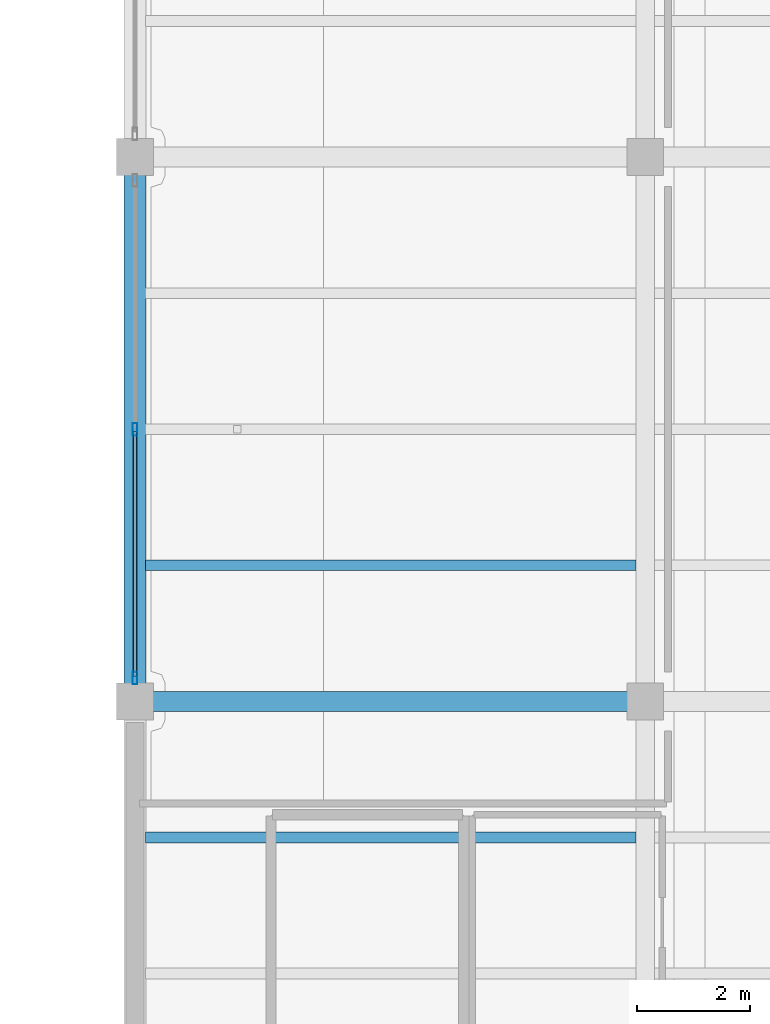
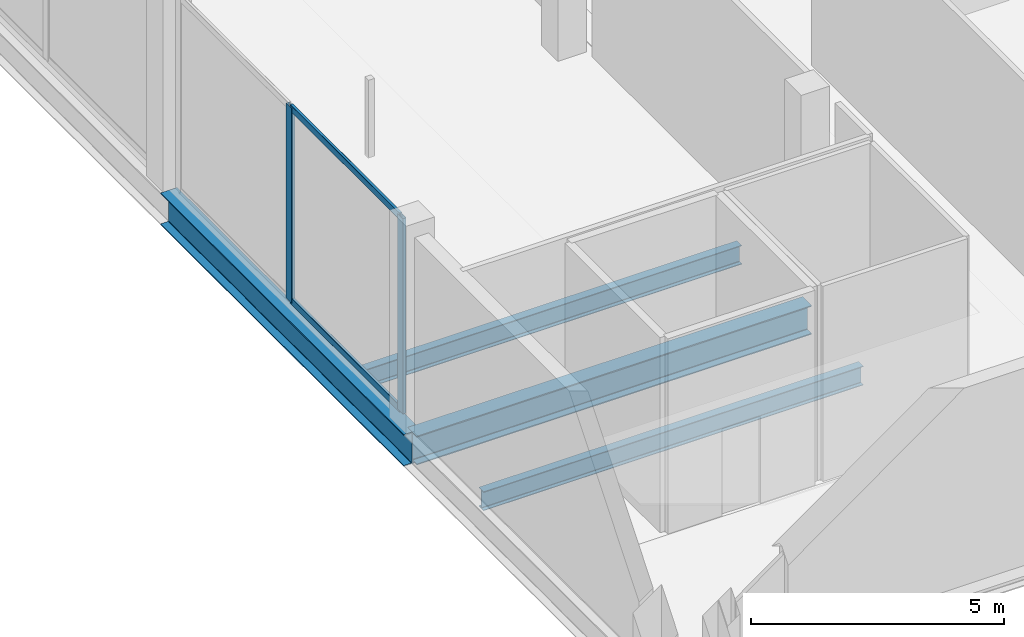
# One storey, part 3 of 43: 4 beams, 4 members, 1 element without a shape of its own.
"""IFC4 building model written with IfcOpenShell, lengths in metres."""

from ifc_helpers import new_model, si_unit, direction, frame, origin, origin_2d, place, context, subcontext, project, spatial, hollow_rectangle, i_section, extrude, material, layer, layer_set, material_profile, profile_set, type_object, element, aggregate, save


model = new_model("IFC4")

# Units and contexts
model_context = context("Model", 3, precision=1e-05, world=origin(), true_north=direction((0.0, 1.0)))
body_context = subcontext(model_context, "Body", "Model", "MODEL_VIEW")
ifc_project = project(units=[si_unit("LENGTHUNIT", "METRE"), si_unit("AREAUNIT", "SQUARE_METRE"), si_unit("VOLUMEUNIT", "CUBIC_METRE"), si_unit("PLANEANGLEUNIT", "RADIAN"), si_unit("MASSUNIT", "GRAM", prefix="KILO")], contexts=[model_context])

# Site, building, storey
site_placement = place(None, origin())
site = spatial("IfcSite", under=ifc_project, at=site_placement, CompositionType="ELEMENT")
building_placement = place(site_placement, origin())
building = spatial("IfcBuilding", under=site, at=building_placement, Name="Qorvath Tower", CompositionType="ELEMENT")
storey_placement = place(building_placement, frame((0.0, 0.0, 22.0)))
storey = spatial("IfcBuildingStorey", under=building, at=storey_placement, Name="L04", CompositionType="ELEMENT", Elevation=22.0)

# Beams
ifc_material_1 = material(Name="Steel ASTM A992 Grade 50", Category="steel")
ifc_material_profile_1 = material_profile(ifc_material_1, i_section(OverallWidth=0.381103515625, OverallDepth=0.77294921875, WebThickness=0.0166015625, FlangeThickness=0.027099609375, FilletRadius=0.01904296875, at=origin_2d()), Name="W30x173")
ifc_profile_set_1 = profile_set([ifc_material_profile_1], Name="Steel ASTM A992 Grade 50")
beam_type_1 = type_object("IfcBeamType", Name="BM-FG3", PredefinedType="BEAM", material=ifc_profile_set_1)
beam_1_placement = place(storey_placement, frame((32.39990234375, -19.199951171875, -0.646484375), z_axis=(0.0, 1.0, 0.0), x_axis=(-1.0, 0.0, 0.0)))
element("IfcBeam", 1, at=beam_1_placement, inside=storey, type_object=beam_type_1, Name="Library N-S Girder L04-1-3", PredefinedType="BEAM", context=body_context, shape_type="SweptSolid", body=[
    extrude(i_section(OverallWidth=0.381103515625, OverallDepth=0.77294921875, WebThickness=0.0166015625, FlangeThickness=0.027099609375, FilletRadius=0.01904296875, at=origin_2d()), origin(), (0.0, 0.0, 1.0), 9.599853515625),
])
ifc_material_2 = material(Name="Steel ASTM A992 Grade 50", Category="steel")
ifc_material_profile_2 = material_profile(ifc_material_2, i_section(OverallWidth=0.35595703125, OverallDepth=0.696044921875, WebThickness=0.015380859375, FlangeThickness=0.02490234375, FilletRadius=0.01806640625, at=origin_2d()), Name="W27x146")
ifc_profile_set_2 = profile_set([ifc_material_profile_2], Name="Steel ASTM A992 Grade 50")
beam_type_2 = type_object("IfcBeamType", Name="BM-FG4", PredefinedType="BEAM", material=ifc_profile_set_2)
beam_2_placement = place(storey_placement, frame((32.39990234375, -19.199951171875, -0.60791015625), z_axis=(1.0, 0.0, 0.0), x_axis=(0.0, 1.0, 0.0)))
element("IfcBeam", 2, at=beam_2_placement, inside=storey, type_object=beam_type_2, Name="Library E-W Girder L04-3-1", PredefinedType="BEAM", context=body_context, shape_type="SweptSolid", body=[
    extrude(i_section(OverallWidth=0.35595703125, OverallDepth=0.696044921875, WebThickness=0.015380859375, FlangeThickness=0.02490234375, FilletRadius=0.01806640625, at=origin_2d()), origin(), (0.0, 0.0, 1.0), 9.0),
])
ifc_material_3 = material(Name="Steel ASTM A992 Grade 50", Category="steel")
ifc_material_profile_3 = material_profile(ifc_material_3, i_section(OverallWidth=0.18994140625, OverallDepth=0.45703125, WebThickness=0.009033203125, FlangeThickness=0.014404296875, FilletRadius=0.011962890625, at=origin_2d()), Name="W18x50")
ifc_profile_set_3 = profile_set([ifc_material_profile_3], Name="Steel ASTM A992 Grade 50")
beam_type_3 = type_object("IfcBeamType", Name="BM-FJ2", PredefinedType="JOIST", material=ifc_profile_set_3)
for number, where, z_axis, x_axis, name in (
    (3, (32.58837890625, -21.60009765625, -0.488525390625), (1.0, 0.0, 0.0), (0.0, 1.0, 0.0), "Library Stack Joist L04-2.3-1"),
    (4, (32.58837890625, -16.800048828125, -0.488525390625), (1.0, 0.0, 0.0), (0.0, 1.0, 0.0), "Library Stack Joist L04-3.1-1"),
):
    element("IfcBeam", number, at=place(storey_placement, frame(where, z_axis=z_axis, x_axis=x_axis)), inside=storey, type_object=beam_type_3, Name=name, PredefinedType="JOIST", context=body_context, shape_type="SweptSolid", body=[
        extrude(i_section(OverallWidth=0.18994140625, OverallDepth=0.45703125, WebThickness=0.009033203125, FlangeThickness=0.014404296875, FilletRadius=0.011962890625, at=origin_2d()), origin(), (0.0, 0.0, 1.0), 8.651123046875),
    ])

# Curtain wall, members
ifc_material_4 = material(Name="Anodised aluminium and triple low-E glass", Category="aluminium")
ifc_layer = layer(ifc_material_4, 0.179931640625)
ifc_layer_set = layer_set([ifc_layer], Name="CW-SYS-6")
curtain_wall_type = type_object("IfcCurtainWallType", Name="CW-SYS-6", PredefinedType="NOTDEFINED", material=ifc_layer_set)
curtain_wall_placement = place(storey_placement, origin())
curtain_wall = element("IfcCurtainWall", 5, at=curtain_wall_placement, inside=storey, type_object=curtain_wall_type, Name="Curtain Wall CW-6 CW-LIB-W-L04-3", PredefinedType="NOTDEFINED")
ifc_material_5 = material(Name="Anodised aluminium 6063-T6", Category="aluminium")
ifc_material_profile_4 = material_profile(ifc_material_5, hollow_rectangle(XDim=0.080078125, YDim=0.219970703125, WallThickness=0.00439453125, InnerFilletRadius=0.00439453125, OuterFilletRadius=0.009033203125, at=origin_2d()), Name="CWM LIB 220x80")
ifc_profile_set_4 = profile_set([ifc_material_profile_4], Name="Anodised aluminium 6063-T6")
member_type_1 = type_object("IfcMemberType", Name="CWM-LIB", PredefinedType="MULLION", material=ifc_profile_set_4)
member_1_placement = place(storey_placement, frame((32.39990234375, -18.7900390625, 0.0), z_axis=(0.0, 0.0, 1.0), x_axis=(-1.0, 0.0, 0.0)))
member_1 = element("IfcMember", 6, at=member_1_placement, type_object=member_type_1, Name="CW-6 mullion 1", PredefinedType="MULLION", context=body_context, shape_type="SweptSolid", body=[
    extrude(hollow_rectangle(XDim=0.080078125, YDim=0.219970703125, WallThickness=0.00439453125, InnerFilletRadius=0.00439453125, OuterFilletRadius=0.009033203125, at=origin_2d()), origin(), (0.0, 0.0, 1.0), 4.699951171875),
])
member_2_placement = place(storey_placement, frame((32.39990234375, -14.400146484375, 0.0), z_axis=(0.0, 0.0, 1.0), x_axis=(-1.0, 0.0, 0.0)))
member_2 = element("IfcMember", 7, at=member_2_placement, type_object=member_type_1, Name="CW-6 mullion 2", PredefinedType="MULLION", context=body_context, shape_type="SweptSolid", body=[
    extrude(hollow_rectangle(XDim=0.080078125, YDim=0.219970703125, WallThickness=0.00439453125, InnerFilletRadius=0.00439453125, OuterFilletRadius=0.009033203125, at=origin_2d()), origin(), (0.0, 0.0, 1.0), 4.699951171875),
])
ifc_material_6 = material(Name="Anodised aluminium 6063-T6", Category="aluminium")
ifc_material_profile_5 = material_profile(ifc_material_6, hollow_rectangle(XDim=0.06494140625, YDim=0.159912109375, WallThickness=0.00341796875, InnerFilletRadius=0.00341796875, OuterFilletRadius=0.007080078125, at=origin_2d()), Name="CWT 160x65")
ifc_profile_set_5 = profile_set([ifc_material_profile_5], Name="Anodised aluminium 6063-T6")
member_type_2 = type_object("IfcMemberType", Name="CWT-160", PredefinedType="USERDEFINED", material=ifc_profile_set_5)
member_3_placement = place(storey_placement, frame((32.39990234375, -18.75, 0.032470703125), z_axis=(0.0, 1.0, 0.0), x_axis=(-1.0, 0.0, 0.0)))
member_3 = element("IfcMember", 8, at=member_3_placement, type_object=member_type_2, Name="CW-6 transom 1.1", ObjectType="TRANSOM", PredefinedType="USERDEFINED", context=body_context, shape_type="SweptSolid", body=[
    extrude(hollow_rectangle(XDim=0.06494140625, YDim=0.159912109375, WallThickness=0.00341796875, InnerFilletRadius=0.00341796875, OuterFilletRadius=0.007080078125, at=origin_2d()), origin(), (0.0, 0.0, 1.0), 4.31005859375),
])
member_4_placement = place(storey_placement, frame((32.39990234375, -18.75, 4.66748046875), z_axis=(0.0, 1.0, 0.0), x_axis=(-1.0, 0.0, 0.0)))
member_4 = element("IfcMember", 9, at=member_4_placement, type_object=member_type_2, Name="CW-6 transom 1.2", ObjectType="TRANSOM", PredefinedType="USERDEFINED", context=body_context, shape_type="SweptSolid", body=[
    extrude(hollow_rectangle(XDim=0.06494140625, YDim=0.159912109375, WallThickness=0.00341796875, InnerFilletRadius=0.00341796875, OuterFilletRadius=0.007080078125, at=origin_2d()), origin(), (0.0, 0.0, 1.0), 4.31005859375),
])
aggregate(curtain_wall, [member_1, member_2, member_3, member_4])

save(model, "model.ifc")
